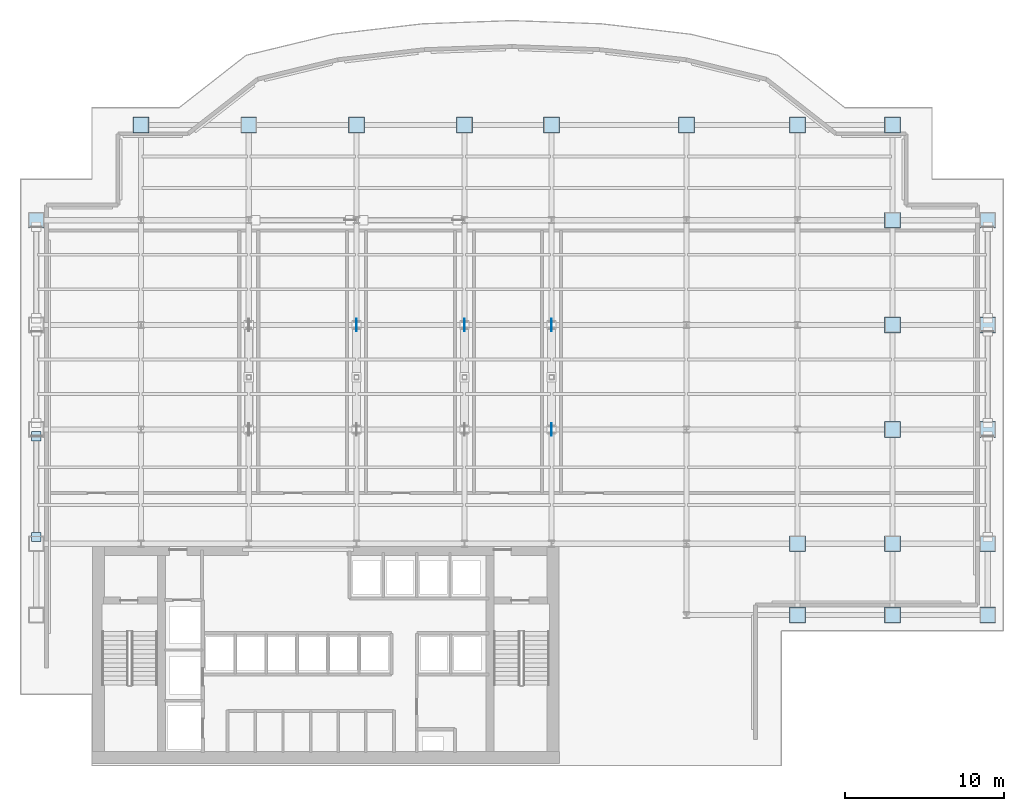
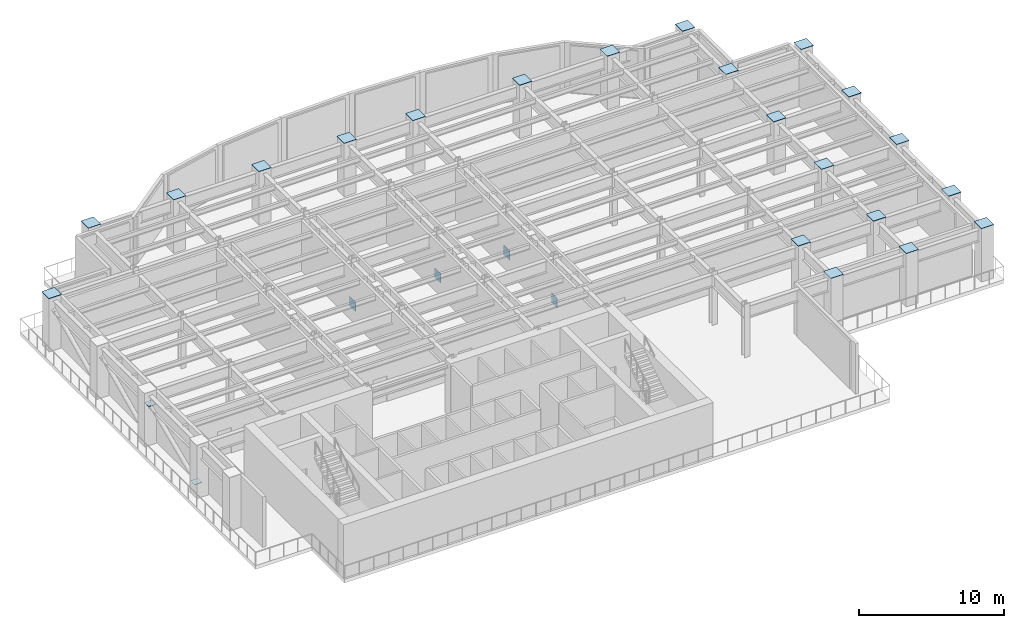
# One storey, part 7 of 14: 27 plates.
"""IFC4 building model written with IfcOpenShell, lengths in metres."""

from ifc_helpers import new_model, si_unit, derived_unit, direction, frame, origin, origin_2d, place, context, subcontext, project, spatial, rectangle, extrude, source, transform, mapped, material, layer, layer_set, type_object, element, save


model = new_model("IFC4")

# Units and contexts
model_context = context("Model", 3, precision=1e-05, world=origin(), true_north=direction((0.0, 1.0)))
body_context = subcontext(model_context, "Body", "Model", "MODEL_VIEW")
ifc_project = project(units=[si_unit("LENGTHUNIT", "METRE"), si_unit("AREAUNIT", "SQUARE_METRE"), si_unit("VOLUMEUNIT", "CUBIC_METRE"), si_unit("PLANEANGLEUNIT", "RADIAN"), si_unit("MASSUNIT", "GRAM", prefix="KILO"), derived_unit("THERMALTRANSMITTANCEUNIT", [(si_unit("POWERUNIT", "WATT"), 1), (si_unit("LENGTHUNIT", "METRE"), -2), (si_unit("THERMODYNAMICTEMPERATUREUNIT", "KELVIN"), -1)])], contexts=[model_context])

# Site, building, storey
site_placement = place(None, origin())
site = spatial("IfcSite", under=ifc_project, at=site_placement, CompositionType="ELEMENT")
building_placement = place(site_placement, origin())
building = spatial("IfcBuilding", under=site, at=building_placement, Name="Skarnbrae Concourse Arena and Tower", CompositionType="ELEMENT")
storey_placement = place(building_placement, frame((0.0, 0.0, 84.14990234375)))
storey = spatial("IfcBuildingStorey", under=building, at=storey_placement, Name="L20", CompositionType="ELEMENT", Elevation=84.14990234375)

# Plates
ifc_material = material(Name="Steel CSA G40.21 350W", Category="steel")
ifc_layer_1 = layer(ifc_material, 0.031982421875)
ifc_layer_set_1 = layer_set([ifc_layer_1], Name="Steel CSA G40.21 350W")
plate_type_1 = type_object("IfcPlateType", Name="PLT-CAP-HOLLOW", PredefinedType="USERDEFINED", material=ifc_layer_set_1)
shared_shape_1 = source(origin(), body_context, "Body", "SweptSolid", [
    extrude(rectangle(XDim=0.580078125, YDim=0.580078125, at=origin_2d()), origin(), (0.0, 0.0, 1.0), 0.031982421875),
])
for number, where, z_axis, x_axis, name in (
    (1, (1.0, 14.422607421875, 0.7158203125), (0.0, 0.0, 1.0), (1.0, 0.0, 0.0), "L20 Belt truss cap plate B01A"),
    (2, (1.0, 20.777587890625, 3.4521484375), (0.0, 0.0, 1.0), (1.0, 0.0, 0.0), "L20 Belt truss cap plate B01B"),
):
    element("IfcPlate", number, at=place(storey_placement, frame(where, z_axis=z_axis, x_axis=x_axis)), inside=storey, type_object=plate_type_1, Name=name, ObjectType="CAP PLATE", PredefinedType="USERDEFINED", context=body_context, shape_type="MappedRepresentation", body=[
        mapped(shared_shape_1, transform((0.0, 0.0, 0.0))),
    ])
ifc_layer_2 = layer(ifc_material, 0.0400390625)
ifc_layer_set_2 = layer_set([ifc_layer_2], Name="Steel CSA G40.21 350W")
plate_type_2 = type_object("IfcPlateType", Name="PLT-NODE-OUTRIG", PredefinedType="USERDEFINED", material=ifc_layer_set_2)
shared_shape_2 = source(origin(), body_context, "Body", "SweptSolid", [
    extrude(rectangle(XDim=0.800048828125, YDim=0.0400390625, at=origin_2d()), origin(), (0.0, 0.0, 1.0), 0.800048828125),
])
for number, where, z_axis, x_axis, name in (
    (3, (21.199951171875, 27.800048828125, 0.14990234375), (0.0, 0.0, 1.0), (0.0, 1.0, 0.0), "L20 Outrigger node gusset plate ND-OR-01 #2N"),
    (4, (28.0, 27.800048828125, 0.14990234375), (0.0, 0.0, 1.0), (0.0, 1.0, 0.0), "L20 Outrigger node gusset plate ND-OR-01 #3N"),
    (5, (33.5, 21.199951171875, 0.14990234375), (0.0, 0.0, 1.0), (0.0, 1.0, 0.0), "L20 Outrigger node gusset plate ND-OR-01 #4S"),
    (6, (33.5, 27.800048828125, 0.14990234375), (0.0, 0.0, 1.0), (0.0, 1.0, 0.0), "L20 Outrigger node gusset plate ND-OR-01 #4N"),
):
    element("IfcPlate", number, at=place(storey_placement, frame(where, z_axis=z_axis, x_axis=x_axis)), inside=storey, type_object=plate_type_2, Name=name, ObjectType="GUSSET PLATE", PredefinedType="USERDEFINED", context=body_context, shape_type="MappedRepresentation", body=[
        mapped(shared_shape_2, transform((0.0, 0.0, 0.0))),
    ])
ifc_layer_3 = layer(ifc_material, 0.031982421875)
ifc_layer_set_3 = layer_set([ifc_layer_3], Name="Steel CSA G40.21 350W")
plate_type_3 = type_object("IfcPlateType", Name="PLT-CAP-BOX950", PredefinedType="USERDEFINED", material=ifc_layer_set_3)
shared_shape_3 = source(origin(), body_context, "Body", "SweptSolid", [
    extrude(rectangle(XDim=1.0, YDim=1.0, at=origin_2d()), origin(), (0.0, 0.0, 1.0), 0.031982421875),
])
for number, where, z_axis, x_axis, name in (
    (7, (1.0, 34.39990234375, 4.4990234375), (0.0, 0.0, 1.0), (1.0, 0.0, 0.0), "L20 Hollow column top cap plate 071"),
    (8, (7.60009765625, 40.39990234375, 4.4990234375), (0.0, 0.0, 1.0), (1.0, 0.0, 0.0), "L20 Hollow column top cap plate 072"),
    (9, (14.39990234375, 40.39990234375, 4.4990234375), (0.0, 0.0, 1.0), (1.0, 0.0, 0.0), "L20 Hollow column top cap plate 073"),
    (10, (21.199951171875, 40.39990234375, 4.4990234375), (0.0, 0.0, 1.0), (1.0, 0.0, 0.0), "L20 Hollow column top cap plate 074"),
    (11, (28.0, 40.39990234375, 4.4990234375), (0.0, 0.0, 1.0), (1.0, 0.0, 0.0), "L20 Hollow column top cap plate 075"),
    (12, (33.5, 40.39990234375, 4.4990234375), (0.0, 0.0, 1.0), (1.0, 0.0, 0.0), "L20 Hollow column top cap plate 076"),
    (13, (42.0, 40.39990234375, 4.4990234375), (0.0, 0.0, 1.0), (1.0, 0.0, 0.0), "L20 Hollow column top cap plate 077"),
    (14, (49.0, 9.5, 4.4990234375), (0.0, 0.0, 1.0), (1.0, 0.0, 0.0), "L20 Hollow column top cap plate 078"),
    (15, (49.0, 14.0, 4.4990234375), (0.0, 0.0, 1.0), (1.0, 0.0, 0.0), "L20 Hollow column top cap plate 079"),
    (16, (49.0, 40.39990234375, 4.4990234375), (0.0, 0.0, 1.0), (1.0, 0.0, 0.0), "L20 Hollow column top cap plate 080"),
    (17, (55.0, 9.5, 4.4990234375), (0.0, 0.0, 1.0), (1.0, 0.0, 0.0), "L20 Hollow column top cap plate 081"),
    (18, (55.0, 14.0, 4.4990234375), (0.0, 0.0, 1.0), (1.0, 0.0, 0.0), "L20 Hollow column top cap plate 082"),
    (19, (55.0, 21.199951171875, 4.4990234375), (0.0, 0.0, 1.0), (1.0, 0.0, 0.0), "L20 Hollow column top cap plate 083"),
    (20, (55.0, 27.800048828125, 4.4990234375), (0.0, 0.0, 1.0), (1.0, 0.0, 0.0), "L20 Hollow column top cap plate 084"),
    (21, (55.0, 34.39990234375, 4.4990234375), (0.0, 0.0, 1.0), (1.0, 0.0, 0.0), "L20 Hollow column top cap plate 085"),
    (22, (55.0, 40.39990234375, 4.4990234375), (0.0, 0.0, 1.0), (1.0, 0.0, 0.0), "L20 Hollow column top cap plate 086"),
    (23, (61.0, 9.5, 4.4990234375), (0.0, 0.0, 1.0), (1.0, 0.0, 0.0), "L20 Hollow column top cap plate 087"),
    (24, (61.0, 14.0, 4.4990234375), (0.0, 0.0, 1.0), (1.0, 0.0, 0.0), "L20 Hollow column top cap plate 088"),
    (25, (61.0, 21.199951171875, 4.4990234375), (0.0, 0.0, 1.0), (1.0, 0.0, 0.0), "L20 Hollow column top cap plate 089"),
    (26, (61.0, 27.800048828125, 4.4990234375), (0.0, 0.0, 1.0), (1.0, 0.0, 0.0), "L20 Hollow column top cap plate 090"),
    (27, (61.0, 34.39990234375, 4.4990234375), (0.0, 0.0, 1.0), (1.0, 0.0, 0.0), "L20 Hollow column top cap plate 091"),
):
    element("IfcPlate", number, at=place(storey_placement, frame(where, z_axis=z_axis, x_axis=x_axis)), inside=storey, type_object=plate_type_3, Name=name, ObjectType="CAP PLATE", PredefinedType="USERDEFINED", context=body_context, shape_type="MappedRepresentation", body=[
        mapped(shared_shape_3, transform((0.0, 0.0, 0.0))),
    ])

save(model, "model.ifc")
